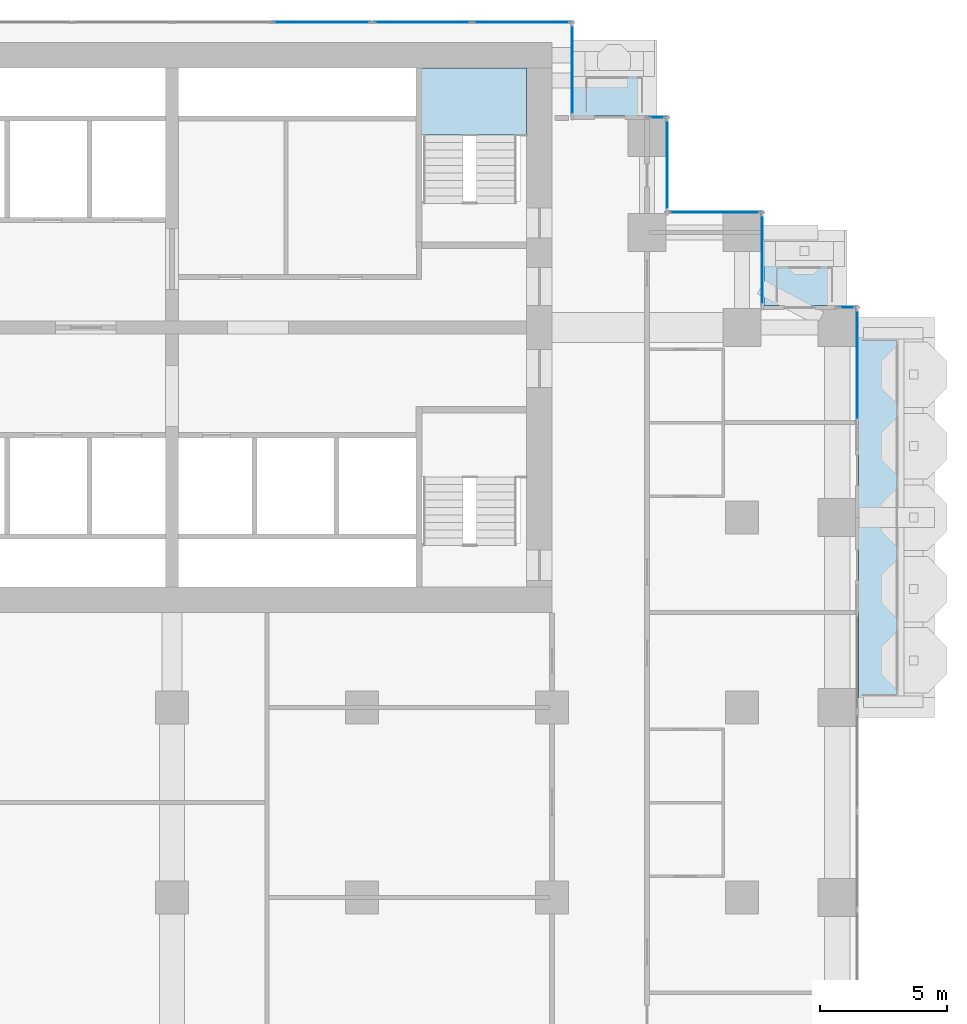
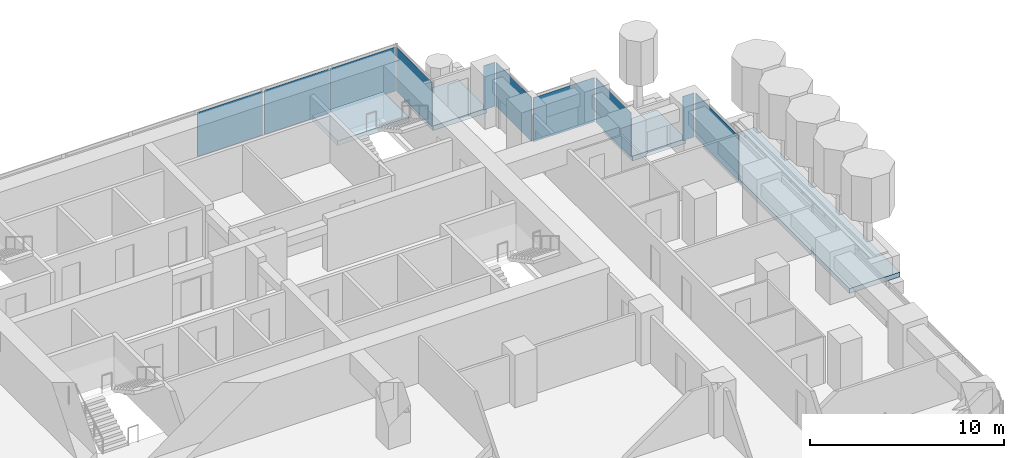
# One storey, part 10 of 20: 10 plates, 4 slabs, 10 elements without a shape of their own.
"""IFC4 building model written with IfcOpenShell, lengths in metres."""

from ifc_helpers import new_model, si_unit, direction, frame, origin, origin_2d, place, context, subcontext, project, spatial, polyline, rectangle, outline, extrude, material, layer, layer_set, type_object, element, aggregate, save


model = new_model("IFC4")

# Units and contexts
model_context = context("Model", 3, precision=1e-05, world=origin(), true_north=direction((0.0, 1.0)))
body_context = subcontext(model_context, "Body", "Model", "MODEL_VIEW")
ifc_project = project(units=[si_unit("LENGTHUNIT", "METRE"), si_unit("AREAUNIT", "SQUARE_METRE"), si_unit("VOLUMEUNIT", "CUBIC_METRE"), si_unit("PLANEANGLEUNIT", "RADIAN"), si_unit("MASSUNIT", "GRAM", prefix="KILO")], contexts=[model_context])

# Site, building, storey
site_placement = place(None, origin())
site = spatial("IfcSite", under=ifc_project, at=site_placement, CompositionType="ELEMENT")
building_placement = place(site_placement, origin())
building = spatial("IfcBuilding", under=site, at=building_placement, Name="Pilkhan Gate Tower", CompositionType="ELEMENT")
storey_placement = place(building_placement, frame((0.0, 0.0, 98.89990234375)))
storey = spatial("IfcBuildingStorey", under=building, at=storey_placement, Name="L24", CompositionType="ELEMENT", Elevation=98.89990234375)

# Slabs
ifc_material_1 = material(Name="Concrete C60/75", Category="concrete")
ifc_layer_1 = layer(ifc_material_1, 0.300048828125)
ifc_layer_set_1 = layer_set([ifc_layer_1], Name="Balcony tray slab TR300")
slab_type_1 = type_object("IfcSlabType", Name="Balcony tray slab TR300", PredefinedType="FLOOR", material=ifc_layer_set_1)
slab_1_placement = place(storey_placement, frame((0.0, 0.0, -0.2998046875)))
element("IfcSlab", 1, at=slab_1_placement, inside=storey, type_object=slab_type_1, Name="Balcony tray L24 E", PredefinedType="FLOOR", context=body_context, shape_type="SweptSolid", body=[
    extrude(outline(polyline([(105.10009765625, 67.5), (105.10009765625, 82.5), (102.10009765625, 82.5), (102.10009765625, 67.5), (105.10009765625, 67.5)])), origin(), (0.0, 0.0, 1.0), 0.2998046875),
])
slab_2_placement = place(storey_placement, frame((0.0, 0.0, -0.2998046875)))
element("IfcSlab", 2, at=slab_2_placement, inside=storey, type_object=slab_type_1, Name="Balcony tray L24 N", PredefinedType="FLOOR", context=body_context, shape_type="SweptSolid", body=[
    extrude(outline(polyline([(94.050048828125, 90.85009765625), (94.050048828125, 93.85009765625), (90.85009765625, 93.85009765625), (90.85009765625, 90.85009765625), (94.050048828125, 90.85009765625)])), origin(), (0.0, 0.0, 1.0), 0.2998046875),
])
slab_3_placement = place(storey_placement, frame((0.0, 0.0, -0.2998046875)))
element("IfcSlab", 3, at=slab_3_placement, inside=storey, type_object=slab_type_1, Name="Balcony tray L24 N", PredefinedType="FLOOR", context=body_context, shape_type="SweptSolid", body=[
    extrude(outline(polyline([(101.550048828125, 83.3701171875), (101.550048828125, 86.35009765625), (98.3701171875, 86.35009765625), (98.3701171875, 83.3701171875), (101.550048828125, 83.3701171875)])), origin(), (0.0, 0.0, 1.0), 0.2998046875),
])

# Curtain wall, plate
ifc_material_2 = material(Name="Pale anodised aluminium, clear low-iron double glazing", Category="aluminium")
curtain_wall_type = type_object("IfcCurtainWallType", Name="Hotel unitised curtain wall CW-H", PredefinedType="USERDEFINED", material=ifc_material_2)
curtain_wall_1_placement = place(storey_placement, origin())
curtain_wall_1 = element("IfcCurtainWall", 4, at=curtain_wall_1_placement, inside=storey, type_object=curtain_wall_type, Name="Hotel unitised curtain wall CW-H L24 E", ObjectType="UNITISED CURTAIN WALL", PredefinedType="USERDEFINED")
ifc_material_3 = material(Name="Clear low-iron double glazing", Category="glass")
ifc_layer_2 = layer(ifc_material_3, 0.035888671875)
ifc_layer_set_2 = layer_set([ifc_layer_2], Name="Glass panel CW-H 36")
plate_type = type_object("IfcPlateType", Name="Glass panel CW-H 36", PredefinedType="CURTAIN_PANEL", material=ifc_layer_set_2)
plate_1_placement = place(storey_placement, frame((102.044921875, 81.0224609375, 0.0), z_axis=(0.0, 0.0, 1.0), x_axis=(0.0, 1.0, 0.0)))
plate_1 = element("IfcPlate", 5, at=plate_1_placement, type_object=plate_type, Name="CW-H panel 1", PredefinedType="CURTAIN_PANEL", context=body_context, shape_type="SweptSolid", body=[
    extrude(rectangle(XDim=4.4150390625, YDim=0.035888671875, at=origin_2d()), origin(), (0.0, 0.0, 1.0), 2.77001953125),
])
aggregate(curtain_wall_1, [plate_1])

curtain_wall_2_placement = place(storey_placement, origin())
curtain_wall_2 = element("IfcCurtainWall", 6, at=curtain_wall_2_placement, inside=storey, type_object=curtain_wall_type, Name="Hotel unitised curtain wall CW-H L24 N", ObjectType="UNITISED CURTAIN WALL", PredefinedType="USERDEFINED")
plate_2_placement = place(storey_placement, frame((101.6474609375, 83.294921875, 0.0), z_axis=(0.0, 0.0, 1.0), x_axis=(1.0, 0.0, 0.0)))
plate_2 = element("IfcPlate", 7, at=plate_2_placement, type_object=plate_type, Name="CW-H panel 1", PredefinedType="CURTAIN_PANEL", context=body_context, shape_type="SweptSolid", body=[
    extrude(rectangle(XDim=0.6650390625, YDim=0.035888671875, at=origin_2d()), origin(), (0.0, 0.0, 1.0), 2.77001953125),
])
aggregate(curtain_wall_2, [plate_2])

curtain_wall_3_placement = place(storey_placement, origin())
curtain_wall_3 = element("IfcCurtainWall", 8, at=curtain_wall_3_placement, inside=storey, type_object=curtain_wall_type, Name="Hotel unitised curtain wall CW-H L24 E", ObjectType="UNITISED CURTAIN WALL", PredefinedType="USERDEFINED")
plate_3_placement = place(storey_placement, frame((98.294921875, 85.169921875, 0.0), z_axis=(0.0, 0.0, 1.0), x_axis=(0.0, 1.0, 0.0)))
plate_3 = element("IfcPlate", 9, at=plate_3_placement, type_object=plate_type, Name="CW-H panel 1", PredefinedType="CURTAIN_PANEL", context=body_context, shape_type="SweptSolid", body=[
    extrude(rectangle(XDim=3.6201171875, YDim=0.035888671875, at=origin_2d()), origin(), (0.0, 0.0, 1.0), 2.77001953125),
])
aggregate(curtain_wall_3, [plate_3])

curtain_wall_4_placement = place(storey_placement, origin())
curtain_wall_4 = element("IfcCurtainWall", 10, at=curtain_wall_4_placement, inside=storey, type_object=curtain_wall_type, Name="Hotel unitised curtain wall CW-H L24 N", ObjectType="UNITISED CURTAIN WALL", PredefinedType="USERDEFINED")
plate_4_placement = place(storey_placement, frame((96.419921875, 87.044921875, 0.0), z_axis=(0.0, 0.0, 1.0), x_axis=(1.0, 0.0, 0.0)))
plate_4 = element("IfcPlate", 11, at=plate_4_placement, type_object=plate_type, Name="CW-H panel 1", PredefinedType="CURTAIN_PANEL", context=body_context, shape_type="SweptSolid", body=[
    extrude(rectangle(XDim=3.6201171875, YDim=0.035888671875, at=origin_2d()), origin(), (0.0, 0.0, 1.0), 2.77001953125),
])
aggregate(curtain_wall_4, [plate_4])

curtain_wall_5_placement = place(storey_placement, origin())
curtain_wall_5 = element("IfcCurtainWall", 12, at=curtain_wall_5_placement, inside=storey, type_object=curtain_wall_type, Name="Hotel unitised curtain wall CW-H L24 E", ObjectType="UNITISED CURTAIN WALL", PredefinedType="USERDEFINED")
plate_5_placement = place(storey_placement, frame((94.544921875, 88.919921875, 0.0), z_axis=(0.0, 0.0, 1.0), x_axis=(0.0, 1.0, 0.0)))
plate_5 = element("IfcPlate", 13, at=plate_5_placement, type_object=plate_type, Name="CW-H panel 1", PredefinedType="CURTAIN_PANEL", context=body_context, shape_type="SweptSolid", body=[
    extrude(rectangle(XDim=3.6201171875, YDim=0.035888671875, at=origin_2d()), origin(), (0.0, 0.0, 1.0), 2.77001953125),
])
aggregate(curtain_wall_5, [plate_5])

curtain_wall_6_placement = place(storey_placement, origin())
curtain_wall_6 = element("IfcCurtainWall", 14, at=curtain_wall_6_placement, inside=storey, type_object=curtain_wall_type, Name="Hotel unitised curtain wall CW-H L24 N", ObjectType="UNITISED CURTAIN WALL", PredefinedType="USERDEFINED")
plate_6_placement = place(storey_placement, frame((94.1474609375, 90.794921875, 0.0), z_axis=(0.0, 0.0, 1.0), x_axis=(1.0, 0.0, 0.0)))
plate_6 = element("IfcPlate", 15, at=plate_6_placement, type_object=plate_type, Name="CW-H panel 1", PredefinedType="CURTAIN_PANEL", context=body_context, shape_type="SweptSolid", body=[
    extrude(rectangle(XDim=0.6650390625, YDim=0.035888671875, at=origin_2d()), origin(), (0.0, 0.0, 1.0), 2.77001953125),
])
aggregate(curtain_wall_6, [plate_6])

curtain_wall_7_placement = place(storey_placement, origin())
curtain_wall_7 = element("IfcCurtainWall", 16, at=curtain_wall_7_placement, inside=storey, type_object=curtain_wall_type, Name="Hotel unitised curtain wall CW-H L24 E", ObjectType="UNITISED CURTAIN WALL", PredefinedType="USERDEFINED")
plate_7_placement = place(storey_placement, frame((90.794921875, 92.669921875, 0.0), z_axis=(0.0, 0.0, 1.0), x_axis=(0.0, 1.0, 0.0)))
plate_7 = element("IfcPlate", 17, at=plate_7_placement, type_object=plate_type, Name="CW-H panel 1", PredefinedType="CURTAIN_PANEL", context=body_context, shape_type="SweptSolid", body=[
    extrude(rectangle(XDim=3.6201171875, YDim=0.035888671875, at=origin_2d()), origin(), (0.0, 0.0, 1.0), 2.77001953125),
])
aggregate(curtain_wall_7, [plate_7])

curtain_wall_8_placement = place(storey_placement, origin())
curtain_wall_8 = element("IfcCurtainWall", 18, at=curtain_wall_8_placement, inside=storey, type_object=curtain_wall_type, Name="Hotel unitised curtain wall CW-H L24 N", ObjectType="UNITISED CURTAIN WALL", PredefinedType="USERDEFINED")
plate_8_placement = place(storey_placement, frame((80.906982421875, 94.544921875, 0.0), z_axis=(0.0, 0.0, 1.0), x_axis=(1.0, 0.0, 0.0)))
plate_8 = element("IfcPlate", 19, at=plate_8_placement, type_object=plate_type, Name="CW-H panel 3", PredefinedType="CURTAIN_PANEL", context=body_context, shape_type="SweptSolid", body=[
    extrude(rectangle(XDim=3.851318359375, YDim=0.035888671875, at=origin_2d()), origin(), (0.0, 0.0, 1.0), 2.77001953125),
])
aggregate(curtain_wall_8, [plate_8])

# Curtain wall, plates
curtain_wall_9_placement = place(storey_placement, origin())
curtain_wall_9 = element("IfcCurtainWall", 20, at=curtain_wall_9_placement, inside=storey, type_object=curtain_wall_type, Name="Hotel unitised curtain wall CW-H L24 N", ObjectType="UNITISED CURTAIN WALL", PredefinedType="USERDEFINED")
plate_9_placement = place(storey_placement, frame((84.88818359375, 94.544921875, 0.0), z_axis=(0.0, 0.0, 1.0), x_axis=(1.0, 0.0, 0.0)))
plate_9 = element("IfcPlate", 21, at=plate_9_placement, type_object=plate_type, Name="CW-H panel 1", PredefinedType="CURTAIN_PANEL", context=body_context, shape_type="SweptSolid", body=[
    extrude(rectangle(XDim=3.851318359375, YDim=0.035888671875, at=origin_2d()), origin(), (0.0, 0.0, 1.0), 2.77001953125),
])
plate_10_placement = place(storey_placement, frame((88.804443359375, 94.544921875, 0.0), z_axis=(0.0, 0.0, 1.0), x_axis=(1.0, 0.0, 0.0)))
plate_10 = element("IfcPlate", 22, at=plate_10_placement, type_object=plate_type, Name="CW-H panel 2", PredefinedType="CURTAIN_PANEL", context=body_context, shape_type="SweptSolid", body=[
    extrude(rectangle(XDim=3.851318359375, YDim=0.035888671875, at=origin_2d()), origin(), (0.0, 0.0, 1.0), 2.77001953125),
])
aggregate(curtain_wall_9, [plate_9, plate_10])

# Stair, slab
ifc_material_4 = material(Name="Concrete C40/50 precast", Category="concrete")
stair_type = type_object("IfcStairType", Name="Stair ST4 165x300", PredefinedType="HALF_TURN_STAIR", material=ifc_material_4)
stair_placement = place(storey_placement, origin())
stair = element("IfcStair", 23, at=stair_placement, inside=storey, type_object=stair_type, Name="Stair ST4 L24", PredefinedType="HALF_TURN_STAIR")
ifc_material_5 = material(Name="Concrete C40/50", Category="concrete")
ifc_layer_3 = layer(ifc_material_5, 0.199951171875)
ifc_layer_set_3 = layer_set([ifc_layer_3], Name="Stair landing SL200")
slab_type_2 = type_object("IfcSlabType", Name="Stair landing SL200", PredefinedType="LANDING", material=ifc_layer_set_3)
slab_4_placement = place(storey_placement, frame((0.0, 0.0, 1.35009765625)))
slab_4 = element("IfcSlab", 24, at=slab_4_placement, type_object=slab_type_2, Name="ST4 landing 1", PredefinedType="LANDING", context=body_context, shape_type="SweptSolid", body=[
    extrude(outline(polyline([(89.0, 90.10009765625), (89.0, 92.75), (84.75, 92.75), (84.75, 90.10009765625), (89.0, 90.10009765625)])), origin(), (0.0, 0.0, 1.0), 0.300048828125),
])
aggregate(stair, [slab_4])

save(model, "model.ifc")
